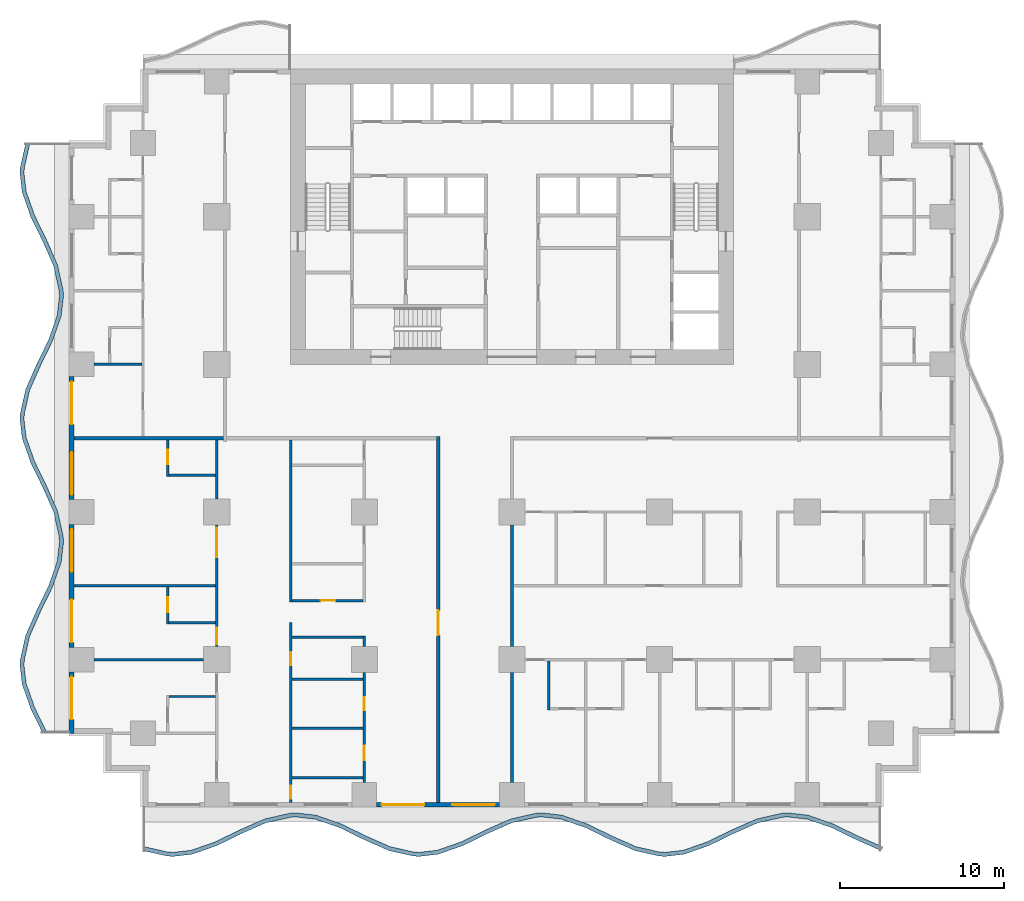
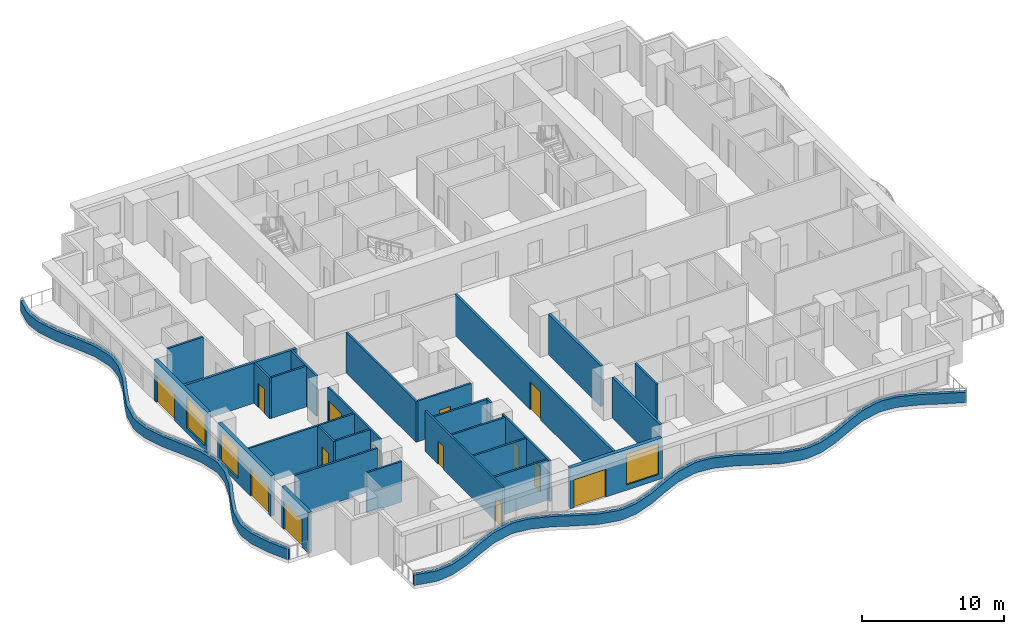
# One storey, part 2 of 14: 30 walls, 14 doors, 3 windows, 17 openings.
"""IFC4 building model written with IfcOpenShell, lengths in metres."""

import ifcopenshell
import ifcopenshell.guid

model = None  # the IFC model being written
_history = None  # IfcOwnerHistory: only IFC2X3 demands one
_inside = {}  # id of a spatial element -> (the spatial element, [elements in it])
_under = {}  # id of a project, library or spatial element -> (it, [spatial elements below it])
_declared = {}  # id of a project -> (the project, [libraries it declares])
_typed = {}  # id of a type object -> (the type object, [elements of that type])
_made_of = {}  # id of a material, layer set ... -> (it, [elements and type objects made of it])


def new_model(schema):
    """Start an empty IFC model of exactly this schema.

    Asked for "IFC4X3", IfcOpenShell would pick the latest addendum, in which some entities
    have other attributes; the version numbers below select the first issue.
    IFC2X3 requires an IfcOwnerHistory on every rooted entity: one is made here for all.
    """
    global model, _history
    if schema == "IFC4X3":
        model = ifcopenshell.file(schema_version=(4, 3, 0, 0))
    else:
        model = ifcopenshell.file(schema=schema)
    _inside.clear()
    _under.clear()
    _declared.clear()
    _typed.clear()
    _made_of.clear()
    _history = None
    if model.schema == "IFC2X3":
        org = make("IfcOrganization", Name="unknown")
        user = make(
            "IfcPersonAndOrganization",
            ThePerson=make("IfcPerson", FamilyName="unknown"),
            TheOrganization=org,
        )
        app = make(
            "IfcApplication",
            ApplicationDeveloper=org,
            Version="unknown",
            ApplicationFullName="unknown",
            ApplicationIdentifier="unknown",
        )
        _history = make(
            "IfcOwnerHistory",
            OwningUser=user,
            OwningApplication=app,
            ChangeAction="ADDED",
            CreationDate=0,
        )
    return model


def make(cls, **values):
    """One entity of the class cls with the attributes given. An attribute that is None is left unset."""
    return model.create_entity(
        cls, **{name: value for name, value in values.items() if value is not None}
    )


def rooted(cls, **values):
    """An entity with a GlobalId (a new one), such as an element, a storey or a relation."""
    return make(cls, GlobalId=ifcopenshell.guid.new(), OwnerHistory=_history, **values)


def si_unit(unit_type, name, prefix=None):
    """IfcSIUnit, for example si_unit("LENGTHUNIT", "METRE", prefix="MILLI")."""
    return make("IfcSIUnit", UnitType=unit_type, Prefix=prefix, Name=name)


def assignment(units):
    """IfcUnitAssignment: the units of a project."""
    return None if units is None else make("IfcUnitAssignment", Units=units)


def point(xyz):
    """IfcCartesianPoint."""
    return None if xyz is None else make("IfcCartesianPoint", Coordinates=xyz)


def direction(xyz):
    """IfcDirection."""
    return None if xyz is None else make("IfcDirection", DirectionRatios=xyz)


def frame(location, z_axis=None, x_axis=None):
    """IfcAxis2Placement3D, a coordinate frame: its origin and axes. An axis left out is left unset."""
    return make(
        "IfcAxis2Placement3D",
        Location=point(location),
        Axis=direction(z_axis),
        RefDirection=direction(x_axis),
    )


def frame_2d(location, x_axis=None):
    """IfcAxis2Placement2D, a coordinate frame in the plane: its origin and x axis."""
    return make(
        "IfcAxis2Placement2D", Location=point(location), RefDirection=direction(x_axis)
    )


def origin():
    """The frame at (0, 0, 0) with its axes left unset."""
    return frame((0.0, 0.0, 0.0))


def place(relative_to, where):
    """IfcLocalPlacement: puts the frame where relative to a parent placement (None: the world)."""
    return make(
        "IfcLocalPlacement", PlacementRelTo=relative_to, RelativePlacement=where
    )


def context(
    kind, dimensions, precision=None, world=None, true_north=None, identifier=None
):
    """IfcGeometricRepresentationContext, for example the 3D "Model" context."""
    return make(
        "IfcGeometricRepresentationContext",
        ContextIdentifier=identifier,
        ContextType=kind,
        CoordinateSpaceDimension=dimensions,
        Precision=precision,
        WorldCoordinateSystem=world,
        TrueNorth=true_north,
    )


def subcontext(parent, identifier, kind, view, scale=None):
    """IfcGeometricRepresentationSubContext, for example "Body" below "Model"."""
    return make(
        "IfcGeometricRepresentationSubContext",
        ContextIdentifier=identifier,
        ContextType=kind,
        ParentContext=parent,
        TargetScale=scale,
        TargetView=view,
    )


def project(units=None, contexts=None):
    """IfcProject with its units and contexts."""
    return rooted(
        "IfcProject",
        Name="project",
        RepresentationContexts=contexts,
        UnitsInContext=assignment(units),
    )


def spatial(cls, under=None, at=None, **own):
    """A site, building, storey or space (cls), placed at a placement, below another one or the project."""
    s = rooted(cls, ObjectPlacement=at, **own)
    if under is not None:
        _under.setdefault(under.id(), (under, []))[1].append(s)
    return s


def polyline(points):
    """IfcPolyline through the points."""
    return make("IfcPolyline", Points=[point(p) for p in points])


def profile(cls, at=None, kind="AREA", **sizes):
    """A parametric profile (cls). Its sizes go by their IFC names, for example OverallWidth=200.0."""
    return make(cls, ProfileType=kind, Position=at, **sizes)


def rectangle(**sizes):
    """IfcRectangleProfileDef."""
    return profile("IfcRectangleProfileDef", **sizes)


def outline(outer, holes=None, kind="AREA"):
    """IfcArbitraryClosedProfileDef: a profile drawn as a closed curve; with holes, ...WithVoids."""
    if holes is None:
        return make("IfcArbitraryClosedProfileDef", ProfileType=kind, OuterCurve=outer)
    return make(
        "IfcArbitraryProfileDefWithVoids",
        ProfileType=kind,
        OuterCurve=outer,
        InnerCurves=holes,
    )


def extrude(swept, where, along, depth):
    """IfcExtrudedAreaSolid: the profile swept, set in the frame where, extruded along a direction by depth."""
    return make(
        "IfcExtrudedAreaSolid",
        SweptArea=swept,
        Position=where,
        ExtrudedDirection=direction(along),
        Depth=depth,
    )


def shape(context_of_items, identifier, shape_type, items):
    """IfcShapeRepresentation: the items that make up one representation, for example the "Body"."""
    return make(
        "IfcShapeRepresentation",
        ContextOfItems=context_of_items,
        RepresentationIdentifier=identifier,
        RepresentationType=shape_type,
        Items=items,
    )


def material(Name=None, Category=None):
    """IfcMaterial."""
    return make("IfcMaterial", Name=Name, Category=Category)


def layer(
    of_material, thickness, ventilated=None, Name=None, Category=None, Priority=None
):
    """IfcMaterialLayer: one layer of a wall or slab, of a material (None: an air gap)."""
    return make(
        "IfcMaterialLayer",
        Material=of_material,
        LayerThickness=thickness,
        IsVentilated=ventilated,
        Name=Name,
        Category=Category,
        Priority=Priority,
    )


def layer_set(layers, Name=None):
    """IfcMaterialLayerSet."""
    return make("IfcMaterialLayerSet", MaterialLayers=layers, LayerSetName=Name)


def made_of(thing, what):
    """Note that an element or type object is made of a material, layer set ...; save() writes the relation."""
    if what is not None:
        _made_of.setdefault(what.id(), (what, []))[1].append(thing)
    return thing


def type_object(cls, material=None, **own):
    """A type object (cls), such as IfcWallType, which elements share."""
    return made_of(rooted(cls, **own), material)


def element(
    cls,
    number,
    at=None,
    inside=None,
    cuts=None,
    type_object=None,
    material=None,
    context=None,
    identifier="Body",
    shape_type=None,
    held_by="IfcProductDefinitionShape",
    body=None,
    shapes=None,
    **own,
):
    """One element of the class cls, such as IfcWall. Its Tag is "e" and its number.

    at: its placement. inside: the storey or other place that contains it. cuts: it is an
    opening in that element (IfcRelVoidsElement). A single representation is given by context,
    identifier, shape_type and body (its items); several are given by shapes. held_by: the class
    of the entity that holds the representations. save() writes the other relations.
    """
    e = rooted(cls, Tag="e%d" % number, ObjectPlacement=at, **own)
    if body is not None:
        shapes = [shape(context, identifier, shape_type, body)]
    if shapes is not None:
        e.Representation = make(held_by, Representations=shapes)
    if inside is not None:
        _inside.setdefault(inside.id(), (inside, []))[1].append(e)
    if cuts is not None:
        rooted(
            "IfcRelVoidsElement", RelatingBuildingElement=cuts, RelatedOpeningElement=e
        )
    if type_object is not None:
        _typed.setdefault(type_object.id(), (type_object, []))[1].append(e)
    return made_of(e, material)


def fill(opening, filler):
    """IfcRelFillsElement: the door or window that sits in an opening."""
    return rooted(
        "IfcRelFillsElement",
        RelatingOpeningElement=opening,
        RelatedBuildingElement=filler,
    )


def aggregate(whole, parts):
    """IfcRelAggregates: a whole, such as a stair, and the parts it consists of."""
    return rooted("IfcRelAggregates", RelatingObject=whole, RelatedObjects=parts)


def save(model, path):
    """Write the relations noted so far, then the file.

    IfcRelAggregates (storeys below a building ...), IfcRelContainedInSpatialStructure (elements
    in a storey), IfcRelDefinesByType, IfcRelAssociatesMaterial and IfcRelDeclares: one each for
    every whole, place, type object, material and project.
    """
    for whole, parts in _under.values():
        aggregate(whole, parts)
    for where, things in _inside.values():
        rooted(
            "IfcRelContainedInSpatialStructure",
            RelatedElements=things,
            RelatingStructure=where,
        )
    for kind, things in _typed.values():
        rooted("IfcRelDefinesByType", RelatedObjects=things, RelatingType=kind)
    for what, things in _made_of.values():
        rooted("IfcRelAssociatesMaterial", RelatedObjects=things, RelatingMaterial=what)
    for by, libraries in _declared.values():
        rooted("IfcRelDeclares", RelatingContext=by, RelatedDefinitions=libraries)
    model.write(path)


model = new_model("IFC4")

# Units and contexts
model_context = context("Model", 3, precision=1e-05, world=origin(), true_north=direction((0.0, 1.0)))
body_context = subcontext(model_context, "Body", "Model", "MODEL_VIEW")
ifc_project = project(units=[si_unit("LENGTHUNIT", "METRE"), si_unit("AREAUNIT", "SQUARE_METRE"), si_unit("VOLUMEUNIT", "CUBIC_METRE"), si_unit("PLANEANGLEUNIT", "RADIAN"), si_unit("MASSUNIT", "GRAM", prefix="KILO")], contexts=[model_context])

# Site, building, storey
site_placement = place(None, origin())
site = spatial("IfcSite", under=ifc_project, at=site_placement, CompositionType="ELEMENT")
building_placement = place(site_placement, origin())
building = spatial("IfcBuilding", under=site, at=building_placement, Name="Orbiselva Terraces", CompositionType="ELEMENT")
storey_placement = place(building_placement, frame((0.0, 0.0, 18.8)))
storey = spatial("IfcBuildingStorey", under=building, at=storey_placement, Name="L04", CompositionType="ELEMENT", Elevation=18.8)

# Walls
ifc_material_1 = material(Name="Concrete C40/50", Category="concrete")
ifc_layer_1 = layer(ifc_material_1, 0.25)
ifc_layer_set_1 = layer_set([ifc_layer_1], Name="Concrete C40/50")
wall_type_1 = type_object("IfcWallType", Name="ENV-PLANTER-250x900", PredefinedType="USERDEFINED", material=ifc_layer_set_1)
wall_1_placement = place(storey_placement, origin())
element("IfcWall", 1, at=wall_1_placement, inside=storey, type_object=wall_type_1, Name="Balcony planter L04 S", ObjectType="PLANTER", PredefinedType="USERDEFINED", context=body_context, shape_type="SweptSolid", body=[
    extrude(outline(polyline([(-22.5, -25.148528), (-21.0, -25.485226), (-20.625, -25.5), (-19.5, -25.369208), (-18.0, -24.844789), (-16.5, -24.112279), (-15.0, -23.451472), (-13.5, -23.114774), (-13.125, -23.1), (-12.0, -23.230792), (-10.5, -23.755211), (-9.0, -24.487721), (-7.5, -25.148528), (-6.0, -25.485226), (-5.625, -25.5), (-4.5, -25.369208), (-3.0, -24.844789), (-1.5, -24.112279), (0.0, -23.451472), (1.5, -23.114774), (1.875, -23.1), (3.0, -23.230792), (4.5, -23.755211), (6.0, -24.487721), (7.5, -25.148528), (9.0, -25.485226), (9.375, -25.5), (10.5, -25.369208), (12.0, -24.844789), (13.5, -24.112279), (15.0, -23.451472), (16.5, -23.114774), (16.875, -23.1), (18.0, -23.230792), (19.5, -23.755211), (21.0, -24.487721), (22.5, -25.148528), (22.600788, -24.919745), (21.105286, -24.260919), (19.59644, -23.524089), (18.056371, -22.985662), (16.884572, -22.849429), (16.467435, -22.865863), (14.921492, -23.212874), (13.394714, -23.885477), (11.90356, -24.613667), (10.443629, -25.124078), (9.365428, -25.249429), (9.032565, -25.236315), (7.578508, -24.90993), (6.105286, -24.260919), (4.59644, -23.524089), (3.056371, -22.985662), (1.884572, -22.849429), (1.467435, -22.865863), (-0.078508, -23.212874), (-1.605286, -23.885477), (-3.09644, -24.613667), (-4.556371, -25.124078), (-5.634572, -25.249429), (-5.967435, -25.236315), (-7.421492, -24.90993), (-8.894714, -24.260919), (-10.40356, -23.524089), (-11.943629, -22.985662), (-13.115428, -22.849429), (-13.532565, -22.865863), (-15.078508, -23.212874), (-16.605286, -23.885477), (-18.09644, -24.613667), (-19.556371, -25.124078), (-20.634572, -25.249429), (-20.967435, -25.236315), (-22.445246, -24.904598), (-22.5, -25.148528)])), origin(), (0.0, 0.0, 1.0), 0.9),
])
wall_2_placement = place(storey_placement, origin())
element("IfcWall", 2, at=wall_2_placement, inside=storey, type_object=wall_type_1, Name="Balcony planter L04 W", ObjectType="PLANTER", PredefinedType="USERDEFINED", context=body_context, shape_type="SweptSolid", body=[
    extrude(outline(polyline([(-29.648528, 18.0), (-29.985226, 16.5), (-30.0, 16.125), (-29.869208, 15.0), (-29.344789, 13.5), (-28.612279, 12.0), (-27.951472, 10.5), (-27.614774, 9.0), (-27.6, 8.625), (-27.730792, 7.5), (-28.255211, 6.0), (-28.987721, 4.5), (-29.648528, 3.0), (-29.985226, 1.5), (-30.0, 1.125), (-29.869208, 0.0), (-29.344789, -1.5), (-28.612279, -3.0), (-27.951472, -4.5), (-27.614774, -6.0), (-27.6, -6.375), (-27.730792, -7.5), (-28.255211, -9.0), (-28.987721, -10.5), (-29.648528, -12.0), (-29.985226, -13.5), (-30.0, -13.875), (-29.869208, -15.0), (-29.344789, -16.5), (-28.612279, -18.0), (-28.387634, -17.890297), (-29.113667, -16.40356), (-29.624078, -14.943629), (-29.749429, -13.865428), (-29.736315, -13.532565), (-29.40993, -12.078508), (-28.760919, -10.605286), (-28.024089, -9.09644), (-27.485662, -7.556371), (-27.349429, -6.384572), (-27.365863, -5.967435), (-27.712874, -4.421492), (-28.385477, -2.894714), (-29.113667, -1.40356), (-29.624078, 0.056371), (-29.749429, 1.134572), (-29.736315, 1.467435), (-29.40993, 2.921492), (-28.760919, 4.394714), (-28.024089, 5.90356), (-27.485662, 7.443629), (-27.349429, 8.615428), (-27.365863, 9.032565), (-27.712874, 10.578508), (-28.385477, 12.105286), (-29.113667, 13.59644), (-29.624078, 15.056371), (-29.749429, 16.134572), (-29.736315, 16.467435), (-29.404598, 17.945246), (-29.648528, 18.0)])), origin(), (0.0, 0.0, 1.0), 0.9),
])

# Wall, openings, door, window
ifc_material_2 = material(Name="Terracotta cladding on masonry backing", Category="masonry")
ifc_layer_2 = layer(ifc_material_2, 0.3)
ifc_layer_set_2 = layer_set([ifc_layer_2], Name="Terracotta cladding on masonry backing")
wall_type_2 = type_object("IfcWallType", Name="ENV-WALL-TERRACOTTA-300", PredefinedType="SOLIDWALL", material=ifc_layer_set_2)
wall_3_placement = place(storey_placement, frame((-0.75, -22.35, 0.0), z_axis=(0.0, 0.0, 1.0), x_axis=(-1.0, 0.0, 0.0)))
wall_3 = element("IfcWall", 3, at=wall_3_placement, inside=storey, type_object=wall_type_2, Name="Facade wall L04 S", PredefinedType="SOLIDWALL", context=body_context, shape_type="SweptSolid", body=[
    extrude(rectangle(XDim=7.5, YDim=0.3, at=frame_2d((3.75, 0.0))), origin(), (0.0, 0.0, 1.0), 3.5),
])
opening_1_placement = place(wall_3_placement, frame((4.6, 0.0, 0.0)))
opening_1 = element("IfcOpeningElement", 4, at=opening_1_placement, cuts=wall_3, Name="Opening Z1-A-E12", PredefinedType="OPENING", context=body_context, shape_type="SweptSolid", body=[
    extrude(rectangle(XDim=2.6, YDim=2.4, at=frame_2d((1.3, 1.2))), frame((0.0, 0.16, 0.0), z_axis=(0.0, -1.0, 0.0), x_axis=(1.0, 0.0, 0.0)), (0.0, 0.0, 1.0), 0.32),
])
opening_2_placement = place(wall_3_placement, frame((0.3, 0.0, 0.45)))
opening_2 = element("IfcOpeningElement", 5, at=opening_2_placement, cuts=wall_3, Name="Opening WN1", PredefinedType="OPENING", context=body_context, shape_type="SweptSolid", body=[
    extrude(rectangle(XDim=2.6, YDim=2.65, at=frame_2d((1.3, 1.325))), frame((0.0, 0.16, 0.0), z_axis=(0.0, -1.0, 0.0), x_axis=(1.0, 0.0, 0.0)), (0.0, 0.0, 1.0), 0.32),
])
ifc_material_3 = material(Name="Clear low-e glazing in aluminium frame", Category="aluminium")
door_type_1 = type_object("IfcDoorType", Name="BALCONY DOOR 2600 X 2400", OperationType="DOUBLE_DOOR_SLIDING", PredefinedType="DOOR", material=ifc_material_3)
door_1_placement = place(opening_1_placement, origin())
door_1 = element("IfcDoor", 6, at=door_1_placement, inside=storey, type_object=door_type_1, Name="Z1-A-E12", OperationType="SINGLE_SWING_LEFT", OverallHeight=2.4, OverallWidth=2.6, PredefinedType="DOOR", context=body_context, shape_type="SweptSolid", body=[
    extrude(rectangle(XDim=2.6, YDim=2.4, at=frame_2d((1.3, 1.2))), frame((0.0, 0.025, 0.0), z_axis=(0.0, -1.0, 0.0), x_axis=(1.0, 0.0, 0.0)), (0.0, 0.0, 1.0), 0.05),
])
fill(opening_1, door_1)
window_type = type_object("IfcWindowType", Name="WINDOW 2600 X 2650 S450", PartitioningType="TRIPLE_PANEL_VERTICAL", PredefinedType="WINDOW", material=ifc_material_3)
window_1_placement = place(opening_2_placement, origin())
window_1 = element("IfcWindow", 7, at=window_1_placement, inside=storey, type_object=window_type, Name="Window L04 S", OverallHeight=2.65, OverallWidth=2.6, PartitioningType="SINGLE_PANEL", PredefinedType="WINDOW", context=body_context, shape_type="SweptSolid", body=[
    extrude(rectangle(XDim=2.6, YDim=2.65, at=frame_2d((1.3, 1.325))), frame((0.0, 0.03, 0.0), z_axis=(0.0, -1.0, 0.0), x_axis=(1.0, 0.0, 0.0)), (0.0, 0.0, 1.0), 0.06),
])
fill(opening_2, window_1)

wall_4_placement = place(storey_placement, frame((-26.85, -3.75, 0.0), z_axis=(0.0, 0.0, 1.0), x_axis=(0.0, 1.0, 0.0)))
wall_4 = element("IfcWall", 8, at=wall_4_placement, inside=storey, type_object=wall_type_2, Name="Facade wall L04 W", PredefinedType="SOLIDWALL", context=body_context, shape_type="SweptSolid", body=[
    extrude(rectangle(XDim=7.5, YDim=0.3, at=frame_2d((3.75, 0.0))), origin(), (0.0, 0.0, 1.0), 3.5),
])
opening_3_placement = place(wall_4_placement, frame((4.6, 0.0, 0.0)))
opening_3 = element("IfcOpeningElement", 9, at=opening_3_placement, cuts=wall_4, Name="Opening Z1-A-E16", PredefinedType="OPENING", context=body_context, shape_type="SweptSolid", body=[
    extrude(rectangle(XDim=2.6, YDim=2.4, at=frame_2d((1.3, 1.2))), frame((0.0, 0.16, 0.0), z_axis=(0.0, -1.0, 0.0), x_axis=(1.0, 0.0, 0.0)), (0.0, 0.0, 1.0), 0.32),
])
opening_4_placement = place(wall_4_placement, frame((0.3, 0.0, 0.45)))
opening_4 = element("IfcOpeningElement", 10, at=opening_4_placement, cuts=wall_4, Name="Opening WN1", PredefinedType="OPENING", context=body_context, shape_type="SweptSolid", body=[
    extrude(rectangle(XDim=2.6, YDim=2.65, at=frame_2d((1.3, 1.325))), frame((0.0, 0.16, 0.0), z_axis=(0.0, -1.0, 0.0), x_axis=(1.0, 0.0, 0.0)), (0.0, 0.0, 1.0), 0.32),
])
door_2_placement = place(opening_3_placement, origin())
door_2 = element("IfcDoor", 11, at=door_2_placement, inside=storey, type_object=door_type_1, Name="Z1-A-E16", OperationType="SINGLE_SWING_LEFT", OverallHeight=2.4, OverallWidth=2.6, PredefinedType="DOOR", context=body_context, shape_type="SweptSolid", body=[
    extrude(rectangle(XDim=2.6, YDim=2.4, at=frame_2d((1.3, 1.2))), frame((0.0, 0.025, 0.0), z_axis=(0.0, -1.0, 0.0), x_axis=(1.0, 0.0, 0.0)), (0.0, 0.0, 1.0), 0.05),
])
fill(opening_3, door_2)
window_2_placement = place(opening_4_placement, origin())
window_2 = element("IfcWindow", 12, at=window_2_placement, inside=storey, type_object=window_type, Name="Window L04 W", OverallHeight=2.65, OverallWidth=2.6, PartitioningType="SINGLE_PANEL", PredefinedType="WINDOW", context=body_context, shape_type="SweptSolid", body=[
    extrude(rectangle(XDim=2.6, YDim=2.65, at=frame_2d((1.3, 1.325))), frame((0.0, 0.03, 0.0), z_axis=(0.0, -1.0, 0.0), x_axis=(1.0, 0.0, 0.0)), (0.0, 0.0, 1.0), 0.06),
])
fill(opening_4, window_2)

wall_5_placement = place(storey_placement, frame((-26.85, -12.75, 0.0), z_axis=(0.0, 0.0, 1.0), x_axis=(0.0, 1.0, 0.0)))
wall_5 = element("IfcWall", 13, at=wall_5_placement, inside=storey, type_object=wall_type_2, Name="Facade wall L04 W", PredefinedType="SOLIDWALL", context=body_context, shape_type="SweptSolid", body=[
    extrude(rectangle(XDim=7.5, YDim=0.3, at=frame_2d((3.75, 0.0))), origin(), (0.0, 0.0, 1.0), 3.5),
])
opening_5_placement = place(wall_5_placement, frame((4.6, 0.0, 0.45)))
opening_5 = element("IfcOpeningElement", 14, at=opening_5_placement, cuts=wall_5, Name="Opening WN1", PredefinedType="OPENING", context=body_context, shape_type="SweptSolid", body=[
    extrude(rectangle(XDim=2.6, YDim=2.65, at=frame_2d((1.3, 1.325))), frame((0.0, 0.16, 0.0), z_axis=(0.0, -1.0, 0.0), x_axis=(1.0, 0.0, 0.0)), (0.0, 0.0, 1.0), 0.32),
])
opening_6_placement = place(wall_5_placement, frame((0.3, 0.0, 0.0)))
opening_6 = element("IfcOpeningElement", 15, at=opening_6_placement, cuts=wall_5, Name="Opening Z1-A-E17", PredefinedType="OPENING", context=body_context, shape_type="SweptSolid", body=[
    extrude(rectangle(XDim=2.6, YDim=2.4, at=frame_2d((1.3, 1.2))), frame((0.0, 0.16, 0.0), z_axis=(0.0, -1.0, 0.0), x_axis=(1.0, 0.0, 0.0)), (0.0, 0.0, 1.0), 0.32),
])
door_3_placement = place(opening_6_placement, origin())
door_3 = element("IfcDoor", 16, at=door_3_placement, inside=storey, type_object=door_type_1, Name="Z1-A-E17", OperationType="SINGLE_SWING_LEFT", OverallHeight=2.4, OverallWidth=2.6, PredefinedType="DOOR", context=body_context, shape_type="SweptSolid", body=[
    extrude(rectangle(XDim=2.6, YDim=2.4, at=frame_2d((1.3, 1.2))), frame((0.0, 0.025, 0.0), z_axis=(0.0, -1.0, 0.0), x_axis=(1.0, 0.0, 0.0)), (0.0, 0.0, 1.0), 0.05),
])
fill(opening_6, door_3)
window_3_placement = place(opening_5_placement, origin())
window_3 = element("IfcWindow", 17, at=window_3_placement, inside=storey, type_object=window_type, Name="Window L04 W", OverallHeight=2.65, OverallWidth=2.6, PartitioningType="SINGLE_PANEL", PredefinedType="WINDOW", context=body_context, shape_type="SweptSolid", body=[
    extrude(rectangle(XDim=2.6, YDim=2.65, at=frame_2d((1.3, 1.325))), frame((0.0, 0.03, 0.0), z_axis=(0.0, -1.0, 0.0), x_axis=(1.0, 0.0, 0.0)), (0.0, 0.0, 1.0), 0.06),
])
fill(opening_5, window_3)

# Wall, opening, door
wall_6_placement = place(storey_placement, frame((-26.85, -18.0, 0.0), z_axis=(0.0, 0.0, 1.0), x_axis=(0.0, 1.0, 0.0)))
wall_6 = element("IfcWall", 18, at=wall_6_placement, inside=storey, type_object=wall_type_2, Name="Facade wall L04 W", PredefinedType="SOLIDWALL", context=body_context, shape_type="SweptSolid", body=[
    extrude(rectangle(XDim=3.75, YDim=0.3, at=frame_2d((1.875, 0.0))), origin(), (0.0, 0.0, 1.0), 3.5),
])
opening_7_placement = place(wall_6_placement, frame((0.85, 0.0, 0.0)))
opening_7 = element("IfcOpeningElement", 19, at=opening_7_placement, cuts=wall_6, Name="Opening Z1-A-E11", PredefinedType="OPENING", context=body_context, shape_type="SweptSolid", body=[
    extrude(rectangle(XDim=2.6, YDim=2.4, at=frame_2d((1.3, 1.2))), frame((0.0, 0.16, 0.0), z_axis=(0.0, -1.0, 0.0), x_axis=(1.0, 0.0, 0.0)), (0.0, 0.0, 1.0), 0.32),
])
door_4_placement = place(opening_7_placement, origin())
door_4 = element("IfcDoor", 20, at=door_4_placement, inside=storey, type_object=door_type_1, Name="Z1-A-E11", OperationType="SINGLE_SWING_LEFT", OverallHeight=2.4, OverallWidth=2.6, PredefinedType="DOOR", context=body_context, shape_type="SweptSolid", body=[
    extrude(rectangle(XDim=2.6, YDim=2.4, at=frame_2d((1.3, 1.2))), frame((0.0, 0.025, 0.0), z_axis=(0.0, -1.0, 0.0), x_axis=(1.0, 0.0, 0.0)), (0.0, 0.0, 1.0), 0.05),
])
fill(opening_7, door_4)

ifc_material_4 = material(Name="Plasterboard on steel stud partition", Category="steel")
ifc_layer_3 = layer(ifc_material_4, 0.2)
ifc_layer_set_3 = layer_set([ifc_layer_3], Name="Plasterboard on steel stud partition")
wall_type_3 = type_object("IfcWallType", Name="UNIT-ENTRANCE-WALL-200", PredefinedType="PARTITIONING", material=ifc_layer_set_3)
wall_7_placement = place(storey_placement, frame((-4.5, -22.2, 0.0), z_axis=(0.0, 0.0, 1.0), x_axis=(0.0, 1.0, 0.0)))
wall_7 = element("IfcWall", 21, at=wall_7_placement, inside=storey, type_object=wall_type_3, Name="PARTITION L04-066", PredefinedType="PARTITIONING", context=body_context, shape_type="SweptSolid", body=[
    extrude(rectangle(XDim=22.3, YDim=0.2, at=frame_2d((11.15, 0.0))), origin(), (0.0, 0.0, 1.0), 3.5),
])
opening_8_placement = place(wall_7_placement, frame((10.2, 0.0, 0.0)))
opening_8 = element("IfcOpeningElement", 22, at=opening_8_placement, cuts=wall_7, Name="Opening Z1-A-17", PredefinedType="OPENING", context=body_context, shape_type="SweptSolid", body=[
    extrude(rectangle(XDim=1.5, YDim=2.4, at=frame_2d((0.75, 1.2))), frame((0.0, 0.11, 0.0), z_axis=(0.0, -1.0, 0.0), x_axis=(1.0, 0.0, 0.0)), (0.0, 0.0, 1.0), 0.22),
])
ifc_material_5 = material(Name="Painted timber door leaf", Category="wood")
door_type_2 = type_object("IfcDoorType", Name="ENTRANCE DOUBLE DOOR 1500", OperationType="NOTDEFINED", PredefinedType="DOOR", material=ifc_material_5)
door_5_placement = place(opening_8_placement, origin())
door_5 = element("IfcDoor", 23, at=door_5_placement, inside=storey, type_object=door_type_2, Name="Z1-A-17", OperationType="DOUBLE_DOOR_SINGLE_SWING", OverallHeight=2.4, OverallWidth=1.5, PredefinedType="DOOR", context=body_context, shape_type="SweptSolid", body=[
    extrude(rectangle(XDim=1.5, YDim=2.4, at=frame_2d((0.75, 1.2))), frame((0.0, 0.025, 0.0), z_axis=(0.0, -1.0, 0.0), x_axis=(1.0, 0.0, 0.0)), (0.0, 0.0, 1.0), 0.05),
])
fill(opening_8, door_5)

# Walls
wall_8_placement = place(storey_placement, frame((0.0, -21.0, 0.0), z_axis=(0.0, 0.0, 1.0), x_axis=(0.0, 1.0, 0.0)))
element("IfcWall", 24, at=wall_8_placement, inside=storey, type_object=wall_type_3, Name="PARTITION L04-067", PredefinedType="PARTITIONING", context=body_context, shape_type="SweptSolid", body=[
    extrude(rectangle(XDim=6.7, YDim=0.2, at=frame_2d((3.35, 0.0))), origin(), (0.0, 0.0, 1.0), 3.5),
])
wall_9_placement = place(storey_placement, frame((0.0, -12.7, 0.0), z_axis=(0.0, 0.0, 1.0), x_axis=(0.0, 1.0, 0.0)))
element("IfcWall", 25, at=wall_9_placement, inside=storey, type_object=wall_type_3, Name="PARTITION L04-068", PredefinedType="PARTITIONING", context=body_context, shape_type="SweptSolid", body=[
    extrude(rectangle(XDim=7.4, YDim=0.2, at=frame_2d((3.7, 0.0))), origin(), (0.0, 0.0, 1.0), 3.5),
])
ifc_layer_4 = layer(ifc_material_4, 0.15)
ifc_layer_set_4 = layer_set([ifc_layer_4], Name="Plasterboard on steel stud partition")
wall_type_4 = type_object("IfcWallType", Name="UNIT-PARTITION-150", PredefinedType="PARTITIONING", material=ifc_layer_set_4)
for number, where, z_axis, x_axis, name in (
    (26, (-13.425, -20.7, 0.0), (0.0, 0.0, 1.0), (1.0, 0.0, 0.0), "PARTITION L04-001"),
    (27, (-13.425, -17.7, 0.0), (0.0, 0.0, 1.0), (1.0, 0.0, 0.0), "PARTITION L04-004"),
):
    element("IfcWall", number, at=place(storey_placement, frame(where, z_axis=z_axis, x_axis=x_axis)), inside=storey, type_object=wall_type_4, Name=name, PredefinedType="PARTITIONING", context=body_context, shape_type="SweptSolid", body=[
        extrude(rectangle(XDim=4.35, YDim=0.15, at=frame_2d((2.175, 0.0))), origin(), (0.0, 0.0, 1.0), 3.5),
    ])
wall_10_placement = place(storey_placement, frame((-20.925, -15.75, 0.0), z_axis=(0.0, 0.0, 1.0), x_axis=(1.0, 0.0, 0.0)))
element("IfcWall", 28, at=wall_10_placement, inside=storey, type_object=wall_type_4, Name="PARTITION L04-010", PredefinedType="PARTITIONING", context=body_context, shape_type="SweptSolid", body=[
    extrude(rectangle(XDim=2.85, YDim=0.15, at=frame_2d((1.425, 0.0))), origin(), (0.0, 0.0, 1.0), 3.5),
])
wall_11_placement = place(storey_placement, frame((-13.425, -14.7, 0.0), z_axis=(0.0, 0.0, 1.0), x_axis=(1.0, 0.0, 0.0)))
element("IfcWall", 29, at=wall_11_placement, inside=storey, type_object=wall_type_4, Name="PARTITION L04-011", PredefinedType="PARTITIONING", context=body_context, shape_type="SweptSolid", body=[
    extrude(rectangle(XDim=4.35, YDim=0.15, at=frame_2d((2.175, 0.0))), origin(), (0.0, 0.0, 1.0), 3.5),
])
wall_12_placement = place(storey_placement, frame((-25.5, -13.5, 0.0), z_axis=(0.0, 0.0, 1.0), x_axis=(1.0, 0.0, 0.0)))
element("IfcWall", 30, at=wall_12_placement, inside=storey, type_object=wall_type_4, Name="PARTITION L04-012", PredefinedType="PARTITIONING", context=body_context, shape_type="SweptSolid", body=[
    extrude(rectangle(XDim=6.7, YDim=0.15, at=frame_2d((3.35, 0.0))), origin(), (0.0, 0.0, 1.0), 3.5),
])
wall_13_placement = place(storey_placement, frame((-13.425, -12.15, 0.0), z_axis=(0.0, 0.0, 1.0), x_axis=(1.0, 0.0, 0.0)))
element("IfcWall", 31, at=wall_13_placement, inside=storey, type_object=wall_type_4, Name="PARTITION L04-016", PredefinedType="PARTITIONING", context=body_context, shape_type="SweptSolid", body=[
    extrude(rectangle(XDim=4.35, YDim=0.15, at=frame_2d((2.175, 0.0))), origin(), (0.0, 0.0, 1.0), 3.5),
])
wall_14_placement = place(storey_placement, frame((-20.925, -11.25, 0.0), z_axis=(0.0, 0.0, 1.0), x_axis=(1.0, 0.0, 0.0)))
element("IfcWall", 32, at=wall_14_placement, inside=storey, type_object=wall_type_4, Name="PARTITION L04-017", PredefinedType="PARTITIONING", context=body_context, shape_type="SweptSolid", body=[
    extrude(rectangle(XDim=2.85, YDim=0.15, at=frame_2d((1.425, 0.0))), origin(), (0.0, 0.0, 1.0), 3.5),
])

# Wall, opening, door
wall_15_placement = place(storey_placement, frame((-13.425, -9.9, 0.0), z_axis=(0.0, 0.0, 1.0), x_axis=(1.0, 0.0, 0.0)))
wall_15 = element("IfcWall", 33, at=wall_15_placement, inside=storey, type_object=wall_type_4, Name="PARTITION L04-018", PredefinedType="PARTITIONING", context=body_context, shape_type="SweptSolid", body=[
    extrude(rectangle(XDim=4.35, YDim=0.15, at=frame_2d((2.175, 0.0))), origin(), (0.0, 0.0, 1.0), 3.5),
])
opening_9_placement = place(wall_15_placement, frame((1.75, 0.0, 0.0)))
opening_9 = element("IfcOpeningElement", 34, at=opening_9_placement, cuts=wall_15, Name="Opening Z1-A-20", PredefinedType="OPENING", context=body_context, shape_type="SweptSolid", body=[
    extrude(rectangle(XDim=0.9, YDim=2.1, at=frame_2d((0.45, 1.05))), frame((0.0, 0.085, 0.0), z_axis=(0.0, -1.0, 0.0), x_axis=(1.0, 0.0, 0.0)), (0.0, 0.0, 1.0), 0.17),
])
door_type_3 = type_object("IfcDoorType", Name="BATH DOOR 900", OperationType="NOTDEFINED", PredefinedType="DOOR", material=ifc_material_5)
door_6_placement = place(opening_9_placement, origin())
door_6 = element("IfcDoor", 35, at=door_6_placement, inside=storey, type_object=door_type_3, Name="Z1-A-20", OperationType="SINGLE_SWING_RIGHT", OverallHeight=2.1, OverallWidth=0.9, PredefinedType="DOOR", context=body_context, shape_type="SweptSolid", body=[
    extrude(rectangle(XDim=0.9, YDim=2.1, at=frame_2d((0.45, 1.05))), frame((0.0, 0.025, 0.0), z_axis=(0.0, -1.0, 0.0), x_axis=(1.0, 0.0, 0.0)), (0.0, 0.0, 1.0), 0.05),
])
fill(opening_9, door_6)

# Walls
wall_16_placement = place(storey_placement, frame((-26.7, -9.0, 0.0), z_axis=(0.0, 0.0, 1.0), x_axis=(1.0, 0.0, 0.0)))
element("IfcWall", 36, at=wall_16_placement, inside=storey, type_object=wall_type_4, Name="PARTITION L04-019", PredefinedType="PARTITIONING", context=body_context, shape_type="SweptSolid", body=[
    extrude(rectangle(XDim=8.625, YDim=0.15, at=frame_2d((4.3125, 0.0))), origin(), (0.0, 0.0, 1.0), 3.5),
])
wall_17_placement = place(storey_placement, frame((-20.925, -2.25, 0.0), z_axis=(0.0, 0.0, 1.0), x_axis=(1.0, 0.0, 0.0)))
element("IfcWall", 37, at=wall_17_placement, inside=storey, type_object=wall_type_4, Name="PARTITION L04-027", PredefinedType="PARTITIONING", context=body_context, shape_type="SweptSolid", body=[
    extrude(rectangle(XDim=2.85, YDim=0.15, at=frame_2d((1.425, 0.0))), origin(), (0.0, 0.0, 1.0), 3.5),
])
wall_18_placement = place(storey_placement, frame((-25.5, 4.5, 0.0), z_axis=(0.0, 0.0, 1.0), x_axis=(1.0, 0.0, 0.0)))
element("IfcWall", 38, at=wall_18_placement, inside=storey, type_object=wall_type_4, Name="PARTITION L04-033", PredefinedType="PARTITIONING", context=body_context, shape_type="SweptSolid", body=[
    extrude(rectangle(XDim=2.925, YDim=0.15, at=frame_2d((1.4625, 0.0))), origin(), (0.0, 0.0, 1.0), 3.5),
])

# Wall, opening, door
wall_19_placement = place(storey_placement, frame((-21.0, -9.075, 0.0), z_axis=(0.0, 0.0, 1.0), x_axis=(0.0, -1.0, 0.0)))
wall_19 = element("IfcWall", 39, at=wall_19_placement, inside=storey, type_object=wall_type_4, Name="PARTITION L04-052", PredefinedType="PARTITIONING", context=body_context, shape_type="SweptSolid", body=[
    extrude(rectangle(XDim=2.25, YDim=0.15, at=frame_2d((1.125, 0.0))), origin(), (0.0, 0.0, 1.0), 3.5),
])
opening_10_placement = place(wall_19_placement, frame((0.625, 0.0, 0.0)))
opening_10 = element("IfcOpeningElement", 40, at=opening_10_placement, cuts=wall_19, Name="Opening Z1-A-28", PredefinedType="OPENING", context=body_context, shape_type="SweptSolid", body=[
    extrude(rectangle(XDim=0.9, YDim=2.1, at=frame_2d((0.45, 1.05))), frame((0.0, 0.085, 0.0), z_axis=(0.0, -1.0, 0.0), x_axis=(1.0, 0.0, 0.0)), (0.0, 0.0, 1.0), 0.17),
])
door_7_placement = place(opening_10_placement, origin())
door_7 = element("IfcDoor", 41, at=door_7_placement, inside=storey, type_object=door_type_3, Name="Z1-A-28", OperationType="SINGLE_SWING_LEFT", OverallHeight=2.1, OverallWidth=0.9, PredefinedType="DOOR", context=body_context, shape_type="SweptSolid", body=[
    extrude(rectangle(XDim=0.9, YDim=2.1, at=frame_2d((0.45, 1.05))), frame((0.0, 0.025, 0.0), z_axis=(0.0, -1.0, 0.0), x_axis=(1.0, 0.0, 0.0)), (0.0, 0.0, 1.0), 0.05),
])
fill(opening_10, door_7)

wall_20_placement = place(storey_placement, frame((-21.0, -0.1, 0.0), z_axis=(0.0, 0.0, 1.0), x_axis=(0.0, -1.0, 0.0)))
wall_20 = element("IfcWall", 42, at=wall_20_placement, inside=storey, type_object=wall_type_4, Name="PARTITION L04-053", PredefinedType="PARTITIONING", context=body_context, shape_type="SweptSolid", body=[
    extrude(rectangle(XDim=2.225, YDim=0.15, at=frame_2d((1.1125, 0.0))), origin(), (0.0, 0.0, 1.0), 3.5),
])
opening_11_placement = place(wall_20_placement, frame((0.6, 0.0, 0.0)))
opening_11 = element("IfcOpeningElement", 43, at=opening_11_placement, cuts=wall_20, Name="Opening Z1-A-26", PredefinedType="OPENING", context=body_context, shape_type="SweptSolid", body=[
    extrude(rectangle(XDim=0.9, YDim=2.1, at=frame_2d((0.45, 1.05))), frame((0.0, 0.085, 0.0), z_axis=(0.0, -1.0, 0.0), x_axis=(1.0, 0.0, 0.0)), (0.0, 0.0, 1.0), 0.17),
])
door_8_placement = place(opening_11_placement, origin())
door_8 = element("IfcDoor", 44, at=door_8_placement, inside=storey, type_object=door_type_3, Name="Z1-A-26", OperationType="SINGLE_SWING_LEFT", OverallHeight=2.1, OverallWidth=0.9, PredefinedType="DOOR", context=body_context, shape_type="SweptSolid", body=[
    extrude(rectangle(XDim=0.9, YDim=2.1, at=frame_2d((0.45, 1.05))), frame((0.0, 0.025, 0.0), z_axis=(0.0, -1.0, 0.0), x_axis=(1.0, 0.0, 0.0)), (0.0, 0.0, 1.0), 0.05),
])
fill(opening_11, door_8)

# Wall, openings, doors
wall_21_placement = place(storey_placement, frame((-18.0, -12.7, 0.0), z_axis=(0.0, 0.0, 1.0), x_axis=(0.0, 1.0, 0.0)))
wall_21 = element("IfcWall", 45, at=wall_21_placement, inside=storey, type_object=wall_type_4, Name="PARTITION L04-055", PredefinedType="PARTITIONING", context=body_context, shape_type="SweptSolid", body=[
    extrude(rectangle(XDim=7.4, YDim=0.15, at=frame_2d((3.7, 0.0))), origin(), (0.0, 0.0, 1.0), 3.5),
])
opening_12_placement = place(wall_21_placement, frame((5.45, 0.0, 0.0)))
opening_12 = element("IfcOpeningElement", 46, at=opening_12_placement, cuts=wall_21, Name="Opening Z1-A-25", PredefinedType="OPENING", context=body_context, shape_type="SweptSolid", body=[
    extrude(rectangle(XDim=1.8, YDim=2.4, at=frame_2d((0.9, 1.2))), frame((0.0, 0.085, 0.0), z_axis=(0.0, -1.0, 0.0), x_axis=(1.0, 0.0, 0.0)), (0.0, 0.0, 1.0), 0.17),
])
opening_13_placement = place(wall_21_placement, frame((0.15, 0.0, 0.0)))
opening_13 = element("IfcOpeningElement", 47, at=opening_13_placement, cuts=wall_21, Name="Opening Z1-A-27", PredefinedType="OPENING", context=body_context, shape_type="SweptSolid", body=[
    extrude(rectangle(XDim=1.0, YDim=2.4, at=frame_2d((0.5, 1.2))), frame((0.0, 0.085, 0.0), z_axis=(0.0, -1.0, 0.0), x_axis=(1.0, 0.0, 0.0)), (0.0, 0.0, 1.0), 0.17),
])
door_type_4 = type_object("IfcDoorType", Name="DOUBLE DOOR 1800", OperationType="NOTDEFINED", PredefinedType="DOOR", material=ifc_material_5)
door_9_placement = place(opening_12_placement, origin())
door_9 = element("IfcDoor", 48, at=door_9_placement, inside=storey, type_object=door_type_4, Name="Z1-A-25", OperationType="DOUBLE_DOOR_SINGLE_SWING", OverallHeight=2.4, OverallWidth=1.8, PredefinedType="DOOR", context=body_context, shape_type="SweptSolid", body=[
    extrude(rectangle(XDim=1.8, YDim=2.4, at=frame_2d((0.9, 1.2))), frame((0.0, 0.025, 0.0), z_axis=(0.0, -1.0, 0.0), x_axis=(1.0, 0.0, 0.0)), (0.0, 0.0, 1.0), 0.05),
])
fill(opening_12, door_9)
door_type_5 = type_object("IfcDoorType", Name="ROOM DOOR 1000", OperationType="NOTDEFINED", PredefinedType="DOOR", material=ifc_material_5)
door_10_placement = place(opening_13_placement, origin())
door_10 = element("IfcDoor", 49, at=door_10_placement, inside=storey, type_object=door_type_5, Name="Z1-A-27", OperationType="SINGLE_SWING_LEFT", OverallHeight=2.4, OverallWidth=1.0, PredefinedType="DOOR", context=body_context, shape_type="SweptSolid", body=[
    extrude(rectangle(XDim=1.0, YDim=2.4, at=frame_2d((0.5, 1.2))), frame((0.0, 0.025, 0.0), z_axis=(0.0, -1.0, 0.0), x_axis=(1.0, 0.0, 0.0)), (0.0, 0.0, 1.0), 0.05),
])
fill(opening_13, door_10)

# Wall
wall_22_placement = place(storey_placement, frame((-18.0, -3.7, 0.0), z_axis=(0.0, 0.0, 1.0), x_axis=(0.0, 1.0, 0.0)))
element("IfcWall", 50, at=wall_22_placement, inside=storey, type_object=wall_type_4, Name="PARTITION L04-056", PredefinedType="PARTITIONING", context=body_context, shape_type="SweptSolid", body=[
    extrude(rectangle(XDim=3.6, YDim=0.15, at=frame_2d((1.8, 0.0))), origin(), (0.0, 0.0, 1.0), 3.5),
])

# Wall, openings, doors
wall_23_placement = place(storey_placement, frame((-13.5, -11.25, 0.0), z_axis=(0.0, 0.0, 1.0), x_axis=(0.0, -1.0, 0.0)))
wall_23 = element("IfcWall", 51, at=wall_23_placement, inside=storey, type_object=wall_type_4, Name="PARTITION L04-060", PredefinedType="PARTITIONING", context=body_context, shape_type="SweptSolid", body=[
    extrude(rectangle(XDim=10.95, YDim=0.15, at=frame_2d((5.475, 0.0))), origin(), (0.0, 0.0, 1.0), 3.5),
])
opening_14_placement = place(wall_23_placement, frame((1.8, 0.0, 0.0)))
opening_14 = element("IfcOpeningElement", 52, at=opening_14_placement, cuts=wall_23, Name="Opening Z1-A-21", PredefinedType="OPENING", context=body_context, shape_type="SweptSolid", body=[
    extrude(rectangle(XDim=0.8, YDim=2.0, at=frame_2d((0.4, 1.0))), frame((0.0, 0.085, 0.0), z_axis=(0.0, -1.0, 0.0), x_axis=(1.0, 0.0, 0.0)), (0.0, 0.0, 1.0), 0.17),
])
opening_15_placement = place(wall_23_placement, frame((9.95, 0.0, 0.0)))
opening_15 = element("IfcOpeningElement", 53, at=opening_15_placement, cuts=wall_23, Name="Opening Z1-A-24", PredefinedType="OPENING", context=body_context, shape_type="SweptSolid", body=[
    extrude(rectangle(XDim=0.8, YDim=2.0, at=frame_2d((0.4, 1.0))), frame((0.0, 0.085, 0.0), z_axis=(0.0, -1.0, 0.0), x_axis=(1.0, 0.0, 0.0)), (0.0, 0.0, 1.0), 0.17),
])
door_type_6 = type_object("IfcDoorType", Name="STORE DOOR 800", OperationType="NOTDEFINED", PredefinedType="DOOR", material=ifc_material_5)
door_11_placement = place(opening_14_placement, origin())
door_11 = element("IfcDoor", 54, at=door_11_placement, inside=storey, type_object=door_type_6, Name="Z1-A-21", OperationType="SINGLE_SWING_LEFT", OverallHeight=2.0, OverallWidth=0.8, PredefinedType="DOOR", context=body_context, shape_type="SweptSolid", body=[
    extrude(rectangle(XDim=0.8, YDim=2.0, at=frame_2d((0.4, 1.0))), frame((0.0, 0.025, 0.0), z_axis=(0.0, -1.0, 0.0), x_axis=(1.0, 0.0, 0.0)), (0.0, 0.0, 1.0), 0.05),
])
fill(opening_14, door_11)
door_12_placement = place(opening_15_placement, origin())
door_12 = element("IfcDoor", 55, at=door_12_placement, inside=storey, type_object=door_type_6, Name="Z1-A-24", OperationType="SINGLE_SWING_RIGHT", OverallHeight=2.0, OverallWidth=0.8, PredefinedType="DOOR", context=body_context, shape_type="SweptSolid", body=[
    extrude(rectangle(XDim=0.8, YDim=2.0, at=frame_2d((0.4, 1.0))), frame((0.0, 0.025, 0.0), z_axis=(0.0, -1.0, 0.0), x_axis=(1.0, 0.0, 0.0)), (0.0, 0.0, 1.0), 0.05),
])
fill(opening_15, door_12)

# Wall
wall_24_placement = place(storey_placement, frame((-13.5, -9.975, 0.0), z_axis=(0.0, 0.0, 1.0), x_axis=(0.0, 1.0, 0.0)))
element("IfcWall", 56, at=wall_24_placement, inside=storey, type_object=wall_type_4, Name="PARTITION L04-061", PredefinedType="PARTITIONING", context=body_context, shape_type="SweptSolid", body=[
    extrude(rectangle(XDim=9.875, YDim=0.15, at=frame_2d((4.9375, 0.0))), origin(), (0.0, 0.0, 1.0), 3.5),
])

# Wall, openings, doors
wall_25_placement = place(storey_placement, frame((-9.0, -21.0, 0.0), z_axis=(0.0, 0.0, 1.0), x_axis=(0.0, 1.0, 0.0)))
wall_25 = element("IfcWall", 57, at=wall_25_placement, inside=storey, type_object=wall_type_4, Name="PARTITION L04-062", PredefinedType="PARTITIONING", context=body_context, shape_type="SweptSolid", body=[
    extrude(rectangle(XDim=6.7, YDim=0.15, at=frame_2d((3.35, 0.0))), origin(), (0.0, 0.0, 1.0), 3.5),
])
opening_16_placement = place(wall_25_placement, frame((4.4, 0.0, 0.0)))
opening_16 = element("IfcOpeningElement", 58, at=opening_16_placement, cuts=wall_25, Name="Opening Z1-A-22", PredefinedType="OPENING", context=body_context, shape_type="SweptSolid", body=[
    extrude(rectangle(XDim=0.8, YDim=2.0, at=frame_2d((0.4, 1.0))), frame((0.0, 0.085, 0.0), z_axis=(0.0, -1.0, 0.0), x_axis=(1.0, 0.0, 0.0)), (0.0, 0.0, 1.0), 0.17),
])
opening_17_placement = place(wall_25_placement, frame((1.35, 0.0, 0.0)))
opening_17 = element("IfcOpeningElement", 59, at=opening_17_placement, cuts=wall_25, Name="Opening Z1-A-23", PredefinedType="OPENING", context=body_context, shape_type="SweptSolid", body=[
    extrude(rectangle(XDim=0.9, YDim=2.1, at=frame_2d((0.45, 1.05))), frame((0.0, 0.085, 0.0), z_axis=(0.0, -1.0, 0.0), x_axis=(1.0, 0.0, 0.0)), (0.0, 0.0, 1.0), 0.17),
])
door_type_7 = type_object("IfcDoorType", Name="SERVICE DOOR 900", OperationType="NOTDEFINED", PredefinedType="DOOR", material=ifc_material_5)
door_13_placement = place(opening_17_placement, origin())
door_13 = element("IfcDoor", 60, at=door_13_placement, inside=storey, type_object=door_type_7, Name="Z1-A-23", OperationType="SINGLE_SWING_LEFT", OverallHeight=2.1, OverallWidth=0.9, PredefinedType="DOOR", context=body_context, shape_type="SweptSolid", body=[
    extrude(rectangle(XDim=0.9, YDim=2.1, at=frame_2d((0.45, 1.05))), frame((0.0, 0.025, 0.0), z_axis=(0.0, -1.0, 0.0), x_axis=(1.0, 0.0, 0.0)), (0.0, 0.0, 1.0), 0.05),
])
fill(opening_17, door_13)
door_14_placement = place(opening_16_placement, origin())
door_14 = element("IfcDoor", 61, at=door_14_placement, inside=storey, type_object=door_type_6, Name="Z1-A-22", OperationType="SINGLE_SWING_RIGHT", OverallHeight=2.0, OverallWidth=0.8, PredefinedType="DOOR", context=body_context, shape_type="SweptSolid", body=[
    extrude(rectangle(XDim=0.8, YDim=2.0, at=frame_2d((0.4, 1.0))), frame((0.0, 0.025, 0.0), z_axis=(0.0, -1.0, 0.0), x_axis=(1.0, 0.0, 0.0)), (0.0, 0.0, 1.0), 0.05),
])
fill(opening_16, door_14)

# Walls
wall_26_placement = place(storey_placement, frame((-9.0, -12.7, 0.0), z_axis=(0.0, 0.0, 1.0), x_axis=(0.0, 1.0, 0.0)))
element("IfcWall", 62, at=wall_26_placement, inside=storey, type_object=wall_type_4, Name="PARTITION L04-063", PredefinedType="PARTITIONING", context=body_context, shape_type="SweptSolid", body=[
    extrude(rectangle(XDim=0.625, YDim=0.15, at=frame_2d((0.3125, 0.0))), origin(), (0.0, 0.0, 1.0), 3.5),
])
wall_27_placement = place(storey_placement, frame((2.25, -16.575, 0.0), z_axis=(0.0, 0.0, 1.0), x_axis=(0.0, 1.0, 0.0)))
element("IfcWall", 63, at=wall_27_placement, inside=storey, type_object=wall_type_4, Name="PARTITION L04-070", PredefinedType="PARTITIONING", context=body_context, shape_type="SweptSolid", body=[
    extrude(rectangle(XDim=3.0, YDim=0.15, at=frame_2d((1.5, 0.0))), origin(), (0.0, 0.0, 1.0), 3.5),
])
ifc_layer_5 = layer(ifc_material_4, 0.2)
ifc_layer_set_5 = layer_set([ifc_layer_5], Name="Plasterboard on steel stud partition")
wall_type_5 = type_object("IfcWallType", Name="UNIT-PARTY-WALL-200", PredefinedType="PARTITIONING", material=ifc_layer_set_5)
wall_28_placement = place(storey_placement, frame((-26.7, 0.0, 0.0), z_axis=(0.0, 0.0, 1.0), x_axis=(1.0, 0.0, 0.0)))
element("IfcWall", 64, at=wall_28_placement, inside=storey, type_object=wall_type_5, Name="PARTITION L04-031", PredefinedType="PARTITIONING", context=body_context, shape_type="SweptSolid", body=[
    extrude(rectangle(XDim=9.1, YDim=0.2, at=frame_2d((4.55, 0.0))), origin(), (0.0, 0.0, 1.0), 3.5),
])

save(model, "model.ifc")
